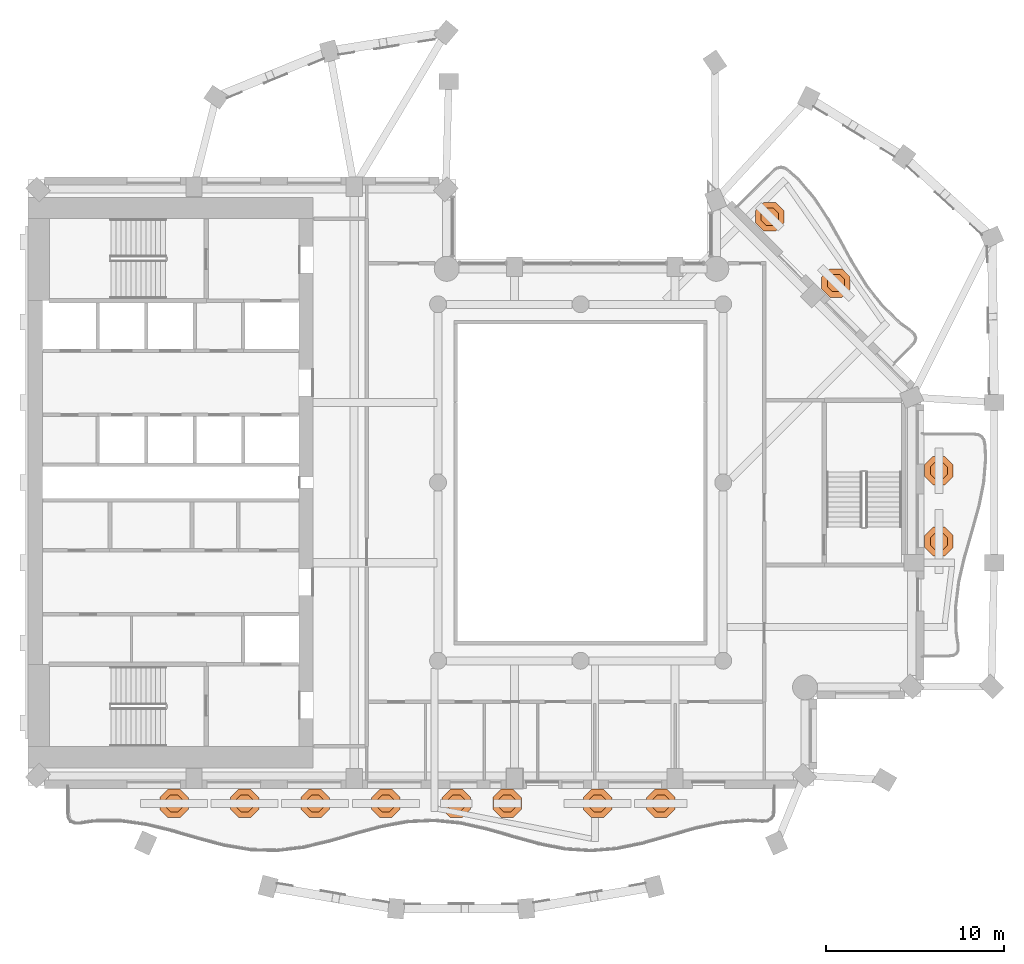
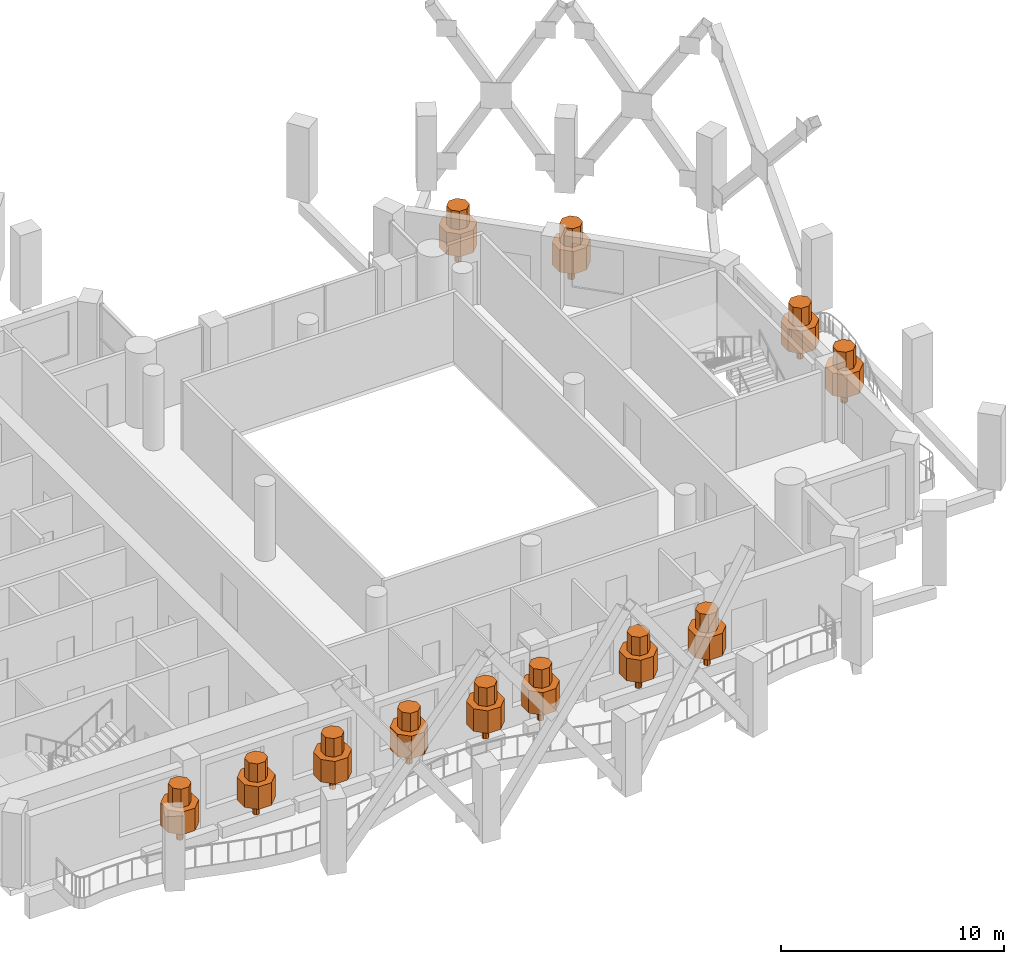
# One storey, part 16 of 16: 12 geographic elements.
"""IFC4 building model written with IfcOpenShell, lengths in metres."""

from ifc_helpers import new_model, si_unit, direction, frame, origin, place, context, subcontext, project, spatial, polyline, outline, extrude, material, type_object, element, save


model = new_model("IFC4")

# Units and contexts
model_context = context("Model", 3, precision=1e-05, world=origin(), true_north=direction((0.0, 1.0)))
body_context = subcontext(model_context, "Body", "Model", "MODEL_VIEW")
ifc_project = project(units=[si_unit("LENGTHUNIT", "METRE"), si_unit("AREAUNIT", "SQUARE_METRE"), si_unit("VOLUMEUNIT", "CUBIC_METRE"), si_unit("PLANEANGLEUNIT", "RADIAN"), si_unit("MASSUNIT", "GRAM", prefix="KILO")], contexts=[model_context])

# Site, building, storey
site_placement = place(None, origin())
site = spatial("IfcSite", under=ifc_project, at=site_placement, CompositionType="ELEMENT")
building_placement = place(site_placement, origin())
building = spatial("IfcBuilding", under=site, at=building_placement, Name="Cypress Arch Tower", CompositionType="ELEMENT")
storey_placement = place(building_placement, frame((0.0, 0.0, 230.199951171875)))
storey = spatial("IfcBuildingStorey", under=building, at=storey_placement, Name="L51", CompositionType="ELEMENT", Elevation=230.199951171875)

# Geographic elements
ifc_material = material(Name="Foliage and planting")
geographic_element_type = type_object("IfcGeographicElementType", Name="Balcony tree TR", PredefinedType="USERDEFINED", material=ifc_material)
for number, where, z_axis, x_axis, name in (
    (1, (-21.81005859375, -18.0, 0.60009765625), (0.0, 0.0, 1.0), (1.0, 0.0, 0.0), "Balcony tree L51-B01.1"),
    (2, (-17.85009765625, -18.0, 0.60009765625), (0.0, 0.0, 1.0), (1.0, 0.0, 0.0), "Balcony tree L51-B01.2"),
    (3, (-13.889892578125, -18.0, 0.60009765625), (0.0, 0.0, 1.0), (1.0, 0.0, 0.0), "Balcony tree L51-B01.3"),
    (4, (-9.929931640625, -18.0, 0.60009765625), (0.0, 0.0, 1.0), (1.0, 0.0, 0.0), "Balcony tree L51-B01.4"),
    (5, (-5.969970703125, -18.0, 0.60009765625), (0.0, 0.0, 1.0), (1.0, 0.0, 0.0), "Balcony tree L51-B01.5"),
    (6, (-3.1201171875, -18.0, 0.60009765625), (0.0, 0.0, 1.0), (1.0, 0.0, 0.0), "Balcony tree L51-B01.6"),
    (7, (1.949951171875, -18.0, 0.60009765625), (0.0, 0.0, 1.0), (1.0, 0.0, 0.0), "Balcony tree L51-B01.7"),
    (8, (5.50244140625, -18.0, 0.60009765625), (0.0, 0.0, 1.0), (1.0, 0.0, 0.0), "Balcony tree L51-B01.8"),
    (9, (21.10009765625, -3.308349609375, 0.60009765625), (0.0, 0.0, 1.0), (1.0, 0.0, 0.0), "Balcony tree L51-B04.1"),
    (10, (21.10009765625, 0.666748046875, 0.60009765625), (0.0, 0.0, 1.0), (1.0, 0.0, 0.0), "Balcony tree L51-B04.2"),
    (11, (15.324462890625, 11.189697265625, 0.60009765625), (0.0, 0.0, 1.0), (1.0, 0.0, 0.0), "Balcony tree L51-B05.1"),
    (12, (11.607177734375, 14.906982421875, 0.60009765625), (0.0, 0.0, 1.0), (1.0, 0.0, 0.0), "Balcony tree L51-B05.2"),
):
    element("IfcGeographicElement", number, at=place(storey_placement, frame(where, z_axis=z_axis, x_axis=x_axis)), inside=storey, type_object=geographic_element_type, Name=name, ObjectType="TREE", PredefinedType="USERDEFINED", context=body_context, shape_type="SweptSolid", body=[
        extrude(outline(polyline([(0.14990234375, 0.06201171875), (0.06201171875, 0.14990234375), (-0.06201171875, 0.14990234375), (-0.14990234375, 0.06201171875), (-0.14990234375, -0.06201171875), (-0.06201171875, -0.14990234375), (0.06201171875, -0.14990234375), (0.14990234375, -0.06201171875), (0.14990234375, 0.06201171875)])), origin(), (0.0, 0.0, 1.0), 0.89990234375),
        extrude(outline(polyline([(0.800048828125, 0.331298828125), (0.331298828125, 0.800048828125), (-0.331298828125, 0.800048828125), (-0.800048828125, 0.331298828125), (-0.800048828125, -0.331298828125), (-0.331298828125, -0.800048828125), (0.331298828125, -0.800048828125), (0.800048828125, -0.331298828125), (0.800048828125, 0.331298828125)])), frame((0.0, 0.0, 0.800048828125)), (0.0, 0.0, 1.0), 1.237548828125),
        extrude(outline(polyline([(0.47998046875, 0.19873046875), (0.19873046875, 0.47998046875), (-0.19873046875, 0.47998046875), (-0.47998046875, 0.19873046875), (-0.47998046875, -0.19873046875), (-0.19873046875, -0.47998046875), (0.19873046875, -0.47998046875), (0.47998046875, -0.19873046875), (0.47998046875, 0.19873046875)])), frame((0.0, 0.0, 2.03759765625)), (0.0, 0.0, 1.0), 1.012451171875),
    ])

save(model, "model.ifc")
